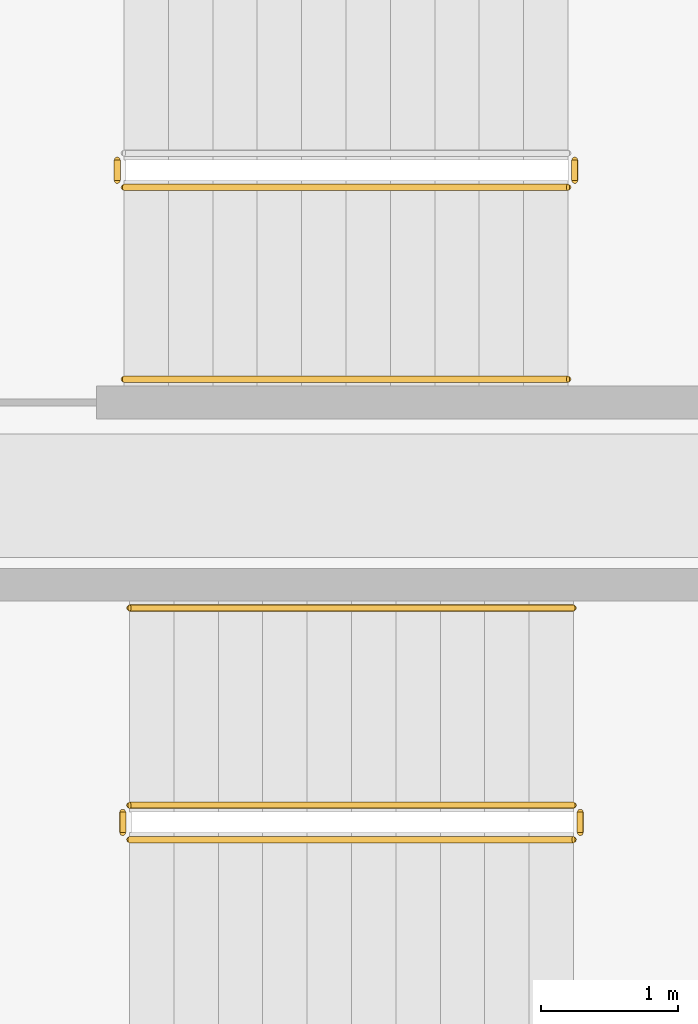
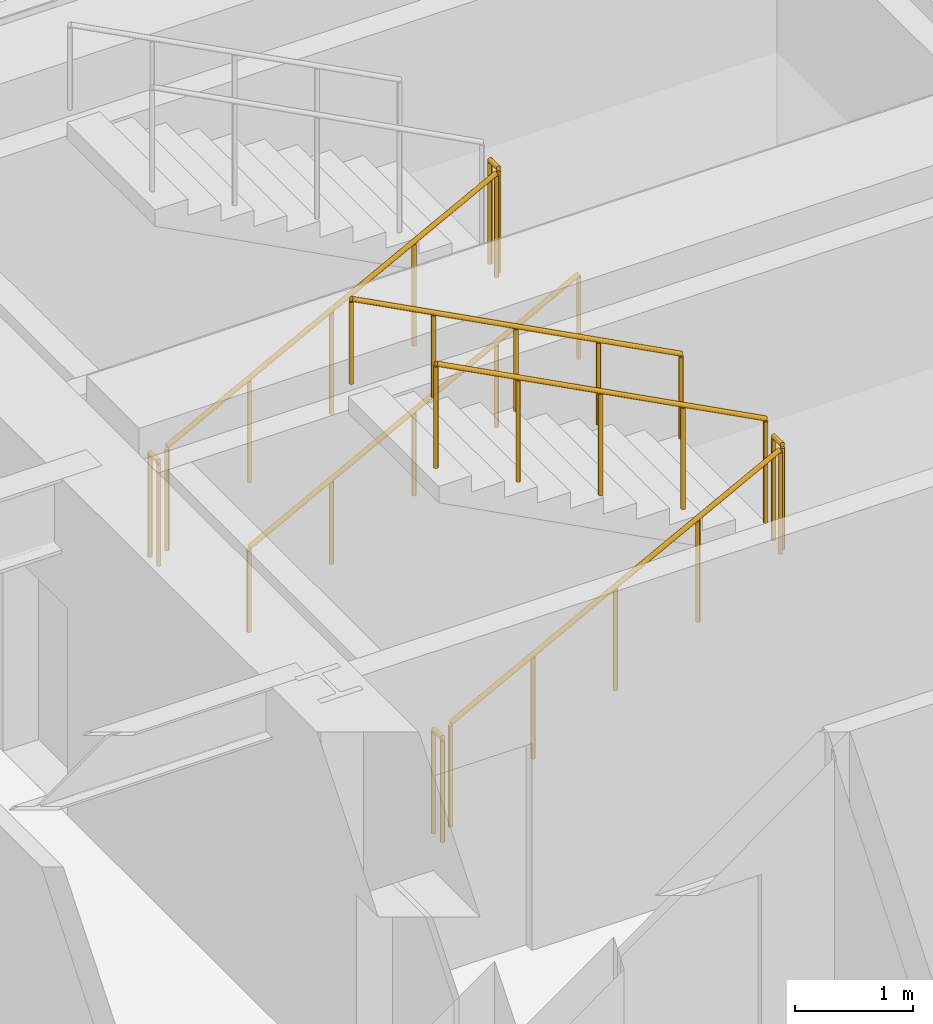
# One storey, part 10 of 11: 9 railings.
"""IFC4 building model written with IfcOpenShell, lengths in metres."""

from ifc_helpers import new_model, si_unit, direction, frame, origin, origin_2d, place, context, subcontext, project, spatial, circle, extrude, material, type_object, element, save


model = new_model("IFC4")

# Units and contexts
model_context = context("Model", 3, precision=1e-05, world=origin(), true_north=direction((0.0, 1.0)))
body_context = subcontext(model_context, "Body", "Model", "MODEL_VIEW")
ifc_project = project(units=[si_unit("LENGTHUNIT", "METRE"), si_unit("AREAUNIT", "SQUARE_METRE"), si_unit("VOLUMEUNIT", "CUBIC_METRE"), si_unit("PLANEANGLEUNIT", "RADIAN"), si_unit("MASSUNIT", "GRAM", prefix="KILO")], contexts=[model_context])

# Site, building, storey
site_placement = place(None, origin())
site = spatial("IfcSite", under=ifc_project, at=site_placement, CompositionType="ELEMENT")
building_placement = place(site_placement, origin())
building = spatial("IfcBuilding", under=site, at=building_placement, Name="Kolvaren Arena Tower", CompositionType="ELEMENT")
storey_placement = place(building_placement, frame((0.0, 0.0, 122.199951171875)))
storey = spatial("IfcBuildingStorey", under=building, at=storey_placement, Name="L28", CompositionType="ELEMENT", Elevation=122.199951171875)

# Railings
ifc_material_1 = material(Name="Painted galvanized steel", Category="steel")
railing_type_1 = type_object("IfcRailingType", Name="GUARD-ST-110", PredefinedType="GUARDRAIL", material=ifc_material_1)
railing_1_placement = place(storey_placement, frame((52.719970703125, 31.639892578125, 0.17041015625)))
element("IfcRailing", 1, at=railing_1_placement, inside=storey, type_object=railing_type_1, Name="L28 ST-E1 stair guard 1", PredefinedType="GUARDRAIL", context=body_context, shape_type="SweptSolid", body=[
    extrude(circle(Radius=0.02392578125, at=origin_2d()), frame((0.0, 0.0, 1.076171875), z_axis=(0.884993431791, 0.0, 0.465603506952), x_axis=(0.0, 1.0, 0.0)), (0.0, 0.0, 1.0), 3.6611328125),
    extrude(circle(Radius=0.02099609375, at=origin_2d()), origin(), (0.0, 0.0, 1.0), 1.052001953125),
    extrude(circle(Radius=0.02099609375, at=origin_2d()), frame((0.81005859375, 0.0, 0.42626953125)), (0.0, 0.0, 1.0), 1.052001953125),
    extrude(circle(Radius=0.02099609375, at=origin_2d()), frame((1.6201171875, 0.0, 0.852294921875)), (0.0, 0.0, 1.0), 1.052001953125),
    extrude(circle(Radius=0.02099609375, at=origin_2d()), frame((2.429931640625, 0.0, 1.2783203125)), (0.0, 0.0, 1.0), 1.052001953125),
    extrude(circle(Radius=0.02099609375, at=origin_2d()), frame((3.239990234375, 0.0, 1.70458984375)), (0.0, 0.0, 1.0), 1.052001953125),
])
railing_2_placement = place(storey_placement, frame((56.010009765625, 31.68994140625, 1.875)))
element("IfcRailing", 2, at=railing_2_placement, inside=storey, type_object=railing_type_1, Name="L28 ST-E1 stair guard 2", PredefinedType="GUARDRAIL", context=body_context, shape_type="SweptSolid", body=[
    extrude(circle(Radius=0.02392578125, at=origin_2d()), frame((0.0, 0.0, 1.076171875), z_axis=(0.0, 1.0, 0.0), x_axis=(-1.0, 0.0, 0.0)), (0.0, 0.0, 1.0), 0.150146484375),
    extrude(circle(Radius=0.02099609375, at=origin_2d()), origin(), (0.0, 0.0, 1.0), 1.052001953125),
    extrude(circle(Radius=0.02099609375, at=origin_2d()), frame((0.0, 0.150146484375, 0.0)), (0.0, 0.0, 1.0), 1.052001953125),
])
railing_3_placement = place(storey_placement, frame((55.9599609375, 31.889892578125, 2.04541015625)))
element("IfcRailing", 3, at=railing_3_placement, inside=storey, type_object=railing_type_1, Name="L28 ST-E1 stair guard 3", PredefinedType="GUARDRAIL", context=body_context, shape_type="SweptSolid", body=[
    extrude(circle(Radius=0.02392578125, at=origin_2d()), frame((0.0, 0.0, 1.076171875), z_axis=(-0.884993431791, 0.0, 0.465603506952), x_axis=(0.0, -1.0, 0.0)), (0.0, 0.0, 1.0), 3.6611328125),
    extrude(circle(Radius=0.02099609375, at=origin_2d()), origin(), (0.0, 0.0, 1.0), 1.052001953125),
    extrude(circle(Radius=0.02099609375, at=origin_2d()), frame((-0.81005859375, 0.0, 0.42626953125)), (0.0, 0.0, 1.0), 1.052001953125),
    extrude(circle(Radius=0.02099609375, at=origin_2d()), frame((-1.6201171875, 0.0, 0.852294921875)), (0.0, 0.0, 1.0), 1.052001953125),
    extrude(circle(Radius=0.02099609375, at=origin_2d()), frame((-2.429931640625, 0.0, 1.2783203125)), (0.0, 0.0, 1.0), 1.052001953125),
    extrude(circle(Radius=0.02099609375, at=origin_2d()), frame((-3.239990234375, 0.0, 1.70458984375)), (0.0, 0.0, 1.0), 1.052001953125),
])
railing_4_placement = place(storey_placement, frame((52.669921875, 31.68994140625, 0.0)))
element("IfcRailing", 4, at=railing_4_placement, inside=storey, type_object=railing_type_1, Name="L28 ST-E1 stair guard 4", PredefinedType="GUARDRAIL", context=body_context, shape_type="SweptSolid", body=[
    extrude(circle(Radius=0.02392578125, at=origin_2d()), frame((0.0, 0.0, 1.076171875), z_axis=(0.0, 1.0, 0.0), x_axis=(-1.0, 0.0, 0.0)), (0.0, 0.0, 1.0), 0.150146484375),
    extrude(circle(Radius=0.02099609375, at=origin_2d()), origin(), (0.0, 0.0, 1.0), 1.052001953125),
    extrude(circle(Radius=0.02099609375, at=origin_2d()), frame((0.0, 0.150146484375, 0.0)), (0.0, 0.0, 1.0), 1.052001953125),
])
railing_5_placement = place(storey_placement, frame((52.679931640625, 36.39990234375, 0.17041015625)))
element("IfcRailing", 5, at=railing_5_placement, inside=storey, type_object=railing_type_1, Name="L28 ST-E2 stair guard 1", PredefinedType="GUARDRAIL", context=body_context, shape_type="SweptSolid", body=[
    extrude(circle(Radius=0.02392578125, at=origin_2d()), frame((0.0, 0.0, 1.076171875), z_axis=(0.884993431791, 0.0, 0.465603506952), x_axis=(0.0, 1.0, 0.0)), (0.0, 0.0, 1.0), 3.6611328125),
    extrude(circle(Radius=0.02099609375, at=origin_2d()), origin(), (0.0, 0.0, 1.0), 1.052001953125),
    extrude(circle(Radius=0.02099609375, at=origin_2d()), frame((0.81005859375, 0.0, 0.42626953125)), (0.0, 0.0, 1.0), 1.052001953125),
    extrude(circle(Radius=0.02099609375, at=origin_2d()), frame((1.6201171875, 0.0, 0.852294921875)), (0.0, 0.0, 1.0), 1.052001953125),
    extrude(circle(Radius=0.02099609375, at=origin_2d()), frame((2.429931640625, 0.0, 1.2783203125)), (0.0, 0.0, 1.0), 1.052001953125),
    extrude(circle(Radius=0.02099609375, at=origin_2d()), frame((3.239990234375, 0.0, 1.70458984375)), (0.0, 0.0, 1.0), 1.052001953125),
])
for number, where, name in (
    (6, (55.969970703125, 36.449951171875, 1.875), "L28 ST-E2 stair guard 2"),
    (7, (52.6298828125, 36.449951171875, 0.0), "L28 ST-E2 stair guard 4"),
):
    element("IfcRailing", number, at=place(storey_placement, frame(where)), inside=storey, type_object=railing_type_1, Name=name, PredefinedType="GUARDRAIL", context=body_context, shape_type="SweptSolid", body=[
        extrude(circle(Radius=0.02392578125, at=origin_2d()), frame((0.0, 0.0, 1.076171875), z_axis=(0.0, 1.0, 0.0), x_axis=(-1.0, 0.0, 0.0)), (0.0, 0.0, 1.0), 0.150146484375),
        extrude(circle(Radius=0.02099609375, at=origin_2d()), origin(), (0.0, 0.0, 1.0), 1.052001953125),
        extrude(circle(Radius=0.02099609375, at=origin_2d()), frame((0.0, 0.150146484375, 0.0)), (0.0, 0.0, 1.0), 1.052001953125),
    ])
ifc_material_2 = material(Name="Brushed stainless steel handrail", Category="steel")
railing_type_2 = type_object("IfcRailingType", Name="HRAIL-900", PredefinedType="HANDRAIL", material=ifc_material_2)
railing_6_placement = place(storey_placement, frame((55.9599609375, 33.330078125, 2.04541015625)))
element("IfcRailing", 8, at=railing_6_placement, inside=storey, type_object=railing_type_2, Name="L28 ST-E1 stair handrail 2", PredefinedType="HANDRAIL", context=body_context, shape_type="SweptSolid", body=[
    extrude(circle(Radius=0.02392578125, at=origin_2d()), frame((0.0, 0.0, 0.8759765625), z_axis=(-0.884993431791, 0.0, 0.465603506952), x_axis=(0.0, -1.0, 0.0)), (0.0, 0.0, 1.0), 3.6611328125),
    extrude(circle(Radius=0.02099609375, at=origin_2d()), origin(), (0.0, 0.0, 1.0), 0.851806640625),
    extrude(circle(Radius=0.02099609375, at=origin_2d()), frame((-0.81005859375, 0.0, 0.42626953125)), (0.0, 0.0, 1.0), 0.851806640625),
    extrude(circle(Radius=0.02099609375, at=origin_2d()), frame((-1.6201171875, 0.0, 0.852294921875)), (0.0, 0.0, 1.0), 0.851806640625),
    extrude(circle(Radius=0.02099609375, at=origin_2d()), frame((-2.429931640625, 0.0, 1.2783203125)), (0.0, 0.0, 1.0), 0.851806640625),
    extrude(circle(Radius=0.02099609375, at=origin_2d()), frame((-3.239990234375, 0.0, 1.70458984375)), (0.0, 0.0, 1.0), 0.851806640625),
])
railing_7_placement = place(storey_placement, frame((52.679931640625, 35.0, 0.17041015625)))
element("IfcRailing", 9, at=railing_7_placement, inside=storey, type_object=railing_type_2, Name="L28 ST-E2 stair handrail 1", PredefinedType="HANDRAIL", context=body_context, shape_type="SweptSolid", body=[
    extrude(circle(Radius=0.02392578125, at=origin_2d()), frame((0.0, 0.0, 0.8759765625), z_axis=(0.884993431791, 0.0, 0.465603506952), x_axis=(0.0, 1.0, 0.0)), (0.0, 0.0, 1.0), 3.6611328125),
    extrude(circle(Radius=0.02099609375, at=origin_2d()), origin(), (0.0, 0.0, 1.0), 0.851806640625),
    extrude(circle(Radius=0.02099609375, at=origin_2d()), frame((0.81005859375, 0.0, 0.42626953125)), (0.0, 0.0, 1.0), 0.851806640625),
    extrude(circle(Radius=0.02099609375, at=origin_2d()), frame((1.6201171875, 0.0, 0.852294921875)), (0.0, 0.0, 1.0), 0.851806640625),
    extrude(circle(Radius=0.02099609375, at=origin_2d()), frame((2.429931640625, 0.0, 1.2783203125)), (0.0, 0.0, 1.0), 0.851806640625),
    extrude(circle(Radius=0.02099609375, at=origin_2d()), frame((3.239990234375, 0.0, 1.70458984375)), (0.0, 0.0, 1.0), 0.851806640625),
])

save(model, "model.ifc")
